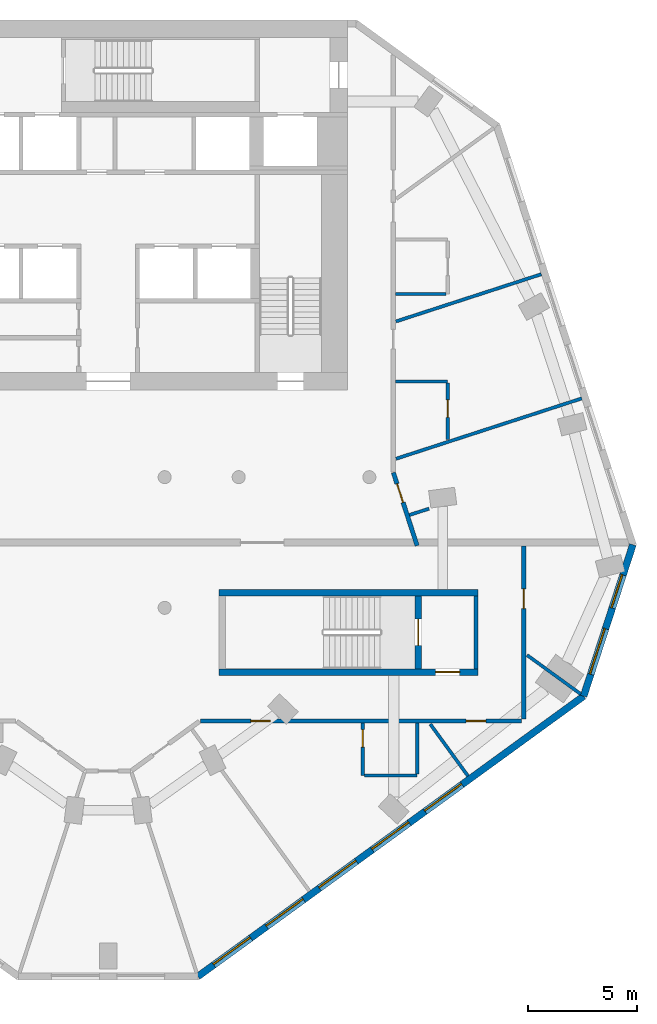
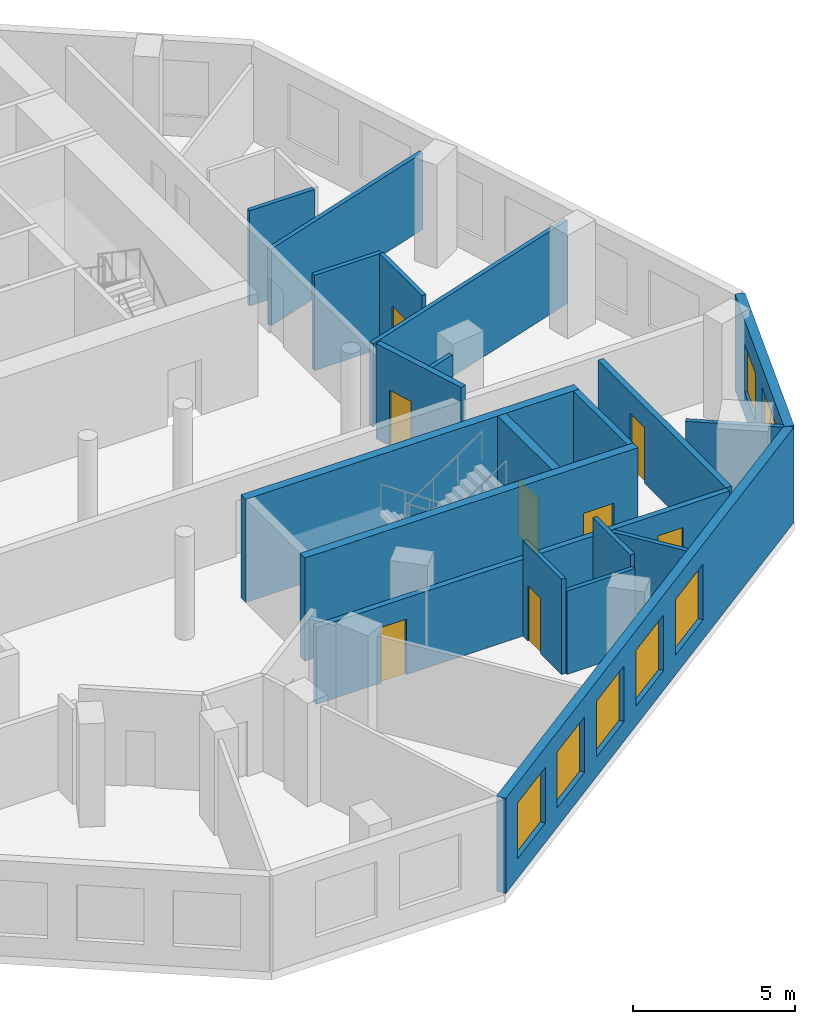
# One storey, part 4 of 9: 20 walls, 8 doors, 7 windows, 15 openings.
"""IFC4 building model written with IfcOpenShell, lengths in metres."""

from ifc_helpers import new_model, si_unit, direction, frame, frame_2d, origin, place, context, subcontext, project, spatial, rectangle, extrude, material, layer, layer_set, type_object, element, fill, save


model = new_model("IFC4")

# Units and contexts
model_context = context("Model", 3, precision=1e-05, world=origin(), true_north=direction((0.0, 1.0)))
body_context = subcontext(model_context, "Body", "Model", "MODEL_VIEW")
ifc_project = project(units=[si_unit("LENGTHUNIT", "METRE"), si_unit("AREAUNIT", "SQUARE_METRE"), si_unit("VOLUMEUNIT", "CUBIC_METRE"), si_unit("PLANEANGLEUNIT", "RADIAN"), si_unit("MASSUNIT", "GRAM", prefix="KILO")], contexts=[model_context])

# Site, building, storey
site_placement = place(None, origin())
site = spatial("IfcSite", under=ifc_project, at=site_placement, CompositionType="ELEMENT")
building_placement = place(site_placement, origin())
building = spatial("IfcBuilding", under=site, at=building_placement, Name="White Candle Pilgrim Tower", CompositionType="ELEMENT")
storey_placement = place(building_placement, frame((0.0, 0.0, 239.39990234375)))
storey = spatial("IfcBuildingStorey", under=building, at=storey_placement, Name="L56", CompositionType="ELEMENT", Elevation=239.39990234375)

# Wall
ifc_material_1 = material(Name="Concrete C50/60", Category="concrete")
ifc_layer_1 = layer(ifc_material_1, 0.199951171875)
ifc_layer_set_1 = layer_set([ifc_layer_1], Name="Core wall 200 mm Concrete C50/60")
wall_type_1 = type_object("IfcWallType", Name="Core wall 200 mm Concrete C50/60", PredefinedType="SHEAR", material=ifc_layer_set_1)
wall_1_placement = place(storey_placement, frame((86.89990234375, 58.199951171875, 0.0), z_axis=(0.0, 0.0, 1.0), x_axis=(0.0, 1.0, 0.0)))
element("IfcWall", 1, at=wall_1_placement, inside=storey, type_object=wall_type_1, Name="WL-L56-C08", PredefinedType="SHEAR", context=body_context, shape_type="SweptSolid", body=[
    extrude(rectangle(XDim=3.35009765625, YDim=0.199951171875, at=frame_2d((1.675048828125, 0.0))), origin(), (0.0, 0.0, 1.0), 3.900146484375),
])

# Wall, opening, door
ifc_material_2 = material(Name="Gypsum board on steel studs", Category="steel")
ifc_layer_2 = layer(ifc_material_2, 0.199951171875)
ifc_layer_set_2 = layer_set([ifc_layer_2], Name="Corridor wall 200 mm EI 45")
wall_type_2 = type_object("IfcWallType", Name="Corridor wall 200 mm EI 45", PredefinedType="PARTITIONING", material=ifc_layer_set_2)
wall_2_placement = place(storey_placement, frame((83.10498046875, 67.2109375, 0.0), z_axis=(0.0, 0.0, 1.0), x_axis=(0.309026709141, -0.951053359721, 0.0)))
wall_2 = element("IfcWall", 2, at=wall_2_placement, inside=storey, type_object=wall_type_2, Name="WL-L56-P005", PredefinedType="PARTITIONING", context=body_context, shape_type="SweptSolid", body=[
    extrude(rectangle(XDim=3.53369140625, YDim=0.199951171875, at=frame_2d((1.766845703125, 0.0))), origin(), (0.0, 0.0, 1.0), 3.60009765625),
])
opening_1_placement = place(wall_2_placement, frame((0.542236328125, 0.0, 0.0)))
opening_1 = element("IfcOpeningElement", 3, at=opening_1_placement, cuts=wall_2, Name="Opening T17-126", PredefinedType="OPENING", context=body_context, shape_type="SweptSolid", body=[
    extrude(rectangle(XDim=0.89990234375, YDim=2.10009765625, at=frame_2d((0.449951171875, 1.050048828125))), frame((0.0, 0.10986328125, 0.0), z_axis=(0.0, -1.0, 0.0), x_axis=(1.0, 0.0, 0.0)), (0.0, 0.0, 1.0), 0.219970703125),
])
ifc_material_3 = material(Name="Steel door leaf", Category="steel")
door_type_1 = type_object("IfcDoorType", Name="Fire door 900 x 2100 EI 30", OperationType="NOTDEFINED", PredefinedType="DOOR", material=ifc_material_3)
door_1_placement = place(opening_1_placement, origin())
door_1 = element("IfcDoor", 4, at=door_1_placement, inside=storey, type_object=door_type_1, Name="Door T17-126", OperationType="SINGLE_SWING_RIGHT", OverallHeight=2.10009765625, OverallWidth=0.89990234375, PredefinedType="DOOR", context=body_context, shape_type="SweptSolid", body=[
    extrude(rectangle(XDim=0.89990234375, YDim=2.10009765625, at=frame_2d((0.449951171875, 1.050048828125))), frame((0.0, 0.02490234375, 0.0), z_axis=(0.0, -1.0, 0.0), x_axis=(1.0, 0.0, 0.0)), (0.0, 0.0, 1.0), 0.050048828125),
])
fill(opening_1, door_1)

wall_3_placement = place(storey_placement, frame((89.10009765625, 63.85009765625, 0.0), z_axis=(0.0, 0.0, 1.0), x_axis=(0.0, -1.0, 0.0)))
wall_3 = element("IfcWall", 5, at=wall_3_placement, inside=storey, type_object=wall_type_2, Name="WL-L56-P006", PredefinedType="PARTITIONING", context=body_context, shape_type="SweptSolid", body=[
    extrude(rectangle(XDim=7.9501953125, YDim=0.199951171875, at=frame_2d((3.97509765625, 0.0))), origin(), (0.0, 0.0, 1.0), 2.900146484375),
])
opening_2_placement = place(wall_3_placement, frame((1.983154296875, 0.0, 0.0)))
opening_2 = element("IfcOpeningElement", 6, at=opening_2_placement, cuts=wall_3, Name="Opening T17-114", PredefinedType="OPENING", context=body_context, shape_type="SweptSolid", body=[
    extrude(rectangle(XDim=0.89990234375, YDim=2.10009765625, at=frame_2d((0.449951171875, 1.050048828125))), frame((0.0, 0.10986328125, 0.0), z_axis=(0.0, -1.0, 0.0), x_axis=(1.0, 0.0, 0.0)), (0.0, 0.0, 1.0), 0.219970703125),
])
door_2_placement = place(opening_2_placement, origin())
door_2 = element("IfcDoor", 7, at=door_2_placement, inside=storey, type_object=door_type_1, Name="Door T17-114", OperationType="SINGLE_SWING_RIGHT", OverallHeight=2.10009765625, OverallWidth=0.89990234375, PredefinedType="DOOR", context=body_context, shape_type="SweptSolid", body=[
    extrude(rectangle(XDim=0.89990234375, YDim=2.10009765625, at=frame_2d((0.449951171875, 1.050048828125))), frame((0.0, 0.02490234375, 0.0), z_axis=(0.0, -1.0, 0.0), x_axis=(1.0, 0.0, 0.0)), (0.0, 0.0, 1.0), 0.050048828125),
])
fill(opening_2, door_2)

# Wall, openings, doors
wall_4_placement = place(storey_placement, frame((89.0, 55.800048828125, 0.0), z_axis=(0.0, 0.0, 1.0), x_axis=(-1.0, 0.0, 0.0)))
wall_4 = element("IfcWall", 8, at=wall_4_placement, inside=storey, type_object=wall_type_2, Name="WL-L56-P007", PredefinedType="PARTITIONING", context=body_context, shape_type="SweptSolid", body=[
    extrude(rectangle(XDim=14.751220703125, YDim=0.199951171875, at=frame_2d((7.37548828125, 0.0))), origin(), (0.0, 0.0, 1.0), 2.900146484375),
])
opening_3_placement = place(wall_4_placement, frame((11.543212890625, 0.0, 0.0)))
opening_3 = element("IfcOpeningElement", 9, at=opening_3_placement, cuts=wall_4, Name="Opening T17-112", PredefinedType="OPENING", context=body_context, shape_type="SweptSolid", body=[
    extrude(rectangle(XDim=0.89990234375, YDim=2.10009765625, at=frame_2d((0.449951171875, 1.050048828125))), frame((0.0, 0.10986328125, 0.0), z_axis=(0.0, -1.0, 0.0), x_axis=(1.0, 0.0, 0.0)), (0.0, 0.0, 1.0), 0.219970703125),
])
opening_4_placement = place(wall_4_placement, frame((1.651611328125, 0.0, 0.0)))
opening_4 = element("IfcOpeningElement", 10, at=opening_4_placement, cuts=wall_4, Name="Opening T17-113", PredefinedType="OPENING", context=body_context, shape_type="SweptSolid", body=[
    extrude(rectangle(XDim=0.89990234375, YDim=2.10009765625, at=frame_2d((0.449951171875, 1.050048828125))), frame((0.0, 0.10986328125, 0.0), z_axis=(0.0, -1.0, 0.0), x_axis=(1.0, 0.0, 0.0)), (0.0, 0.0, 1.0), 0.219970703125),
])
door_3_placement = place(opening_3_placement, origin())
door_3 = element("IfcDoor", 11, at=door_3_placement, inside=storey, type_object=door_type_1, Name="Door T17-112", OperationType="SINGLE_SWING_RIGHT", OverallHeight=2.10009765625, OverallWidth=0.89990234375, PredefinedType="DOOR", context=body_context, shape_type="SweptSolid", body=[
    extrude(rectangle(XDim=0.89990234375, YDim=2.10009765625, at=frame_2d((0.449951171875, 1.050048828125))), frame((0.0, 0.02490234375, 0.0), z_axis=(0.0, -1.0, 0.0), x_axis=(1.0, 0.0, 0.0)), (0.0, 0.0, 1.0), 0.050048828125),
])
fill(opening_3, door_3)
door_4_placement = place(opening_4_placement, origin())
door_4 = element("IfcDoor", 12, at=door_4_placement, inside=storey, type_object=door_type_1, Name="Door T17-113", OperationType="SINGLE_SWING_LEFT", OverallHeight=2.10009765625, OverallWidth=0.89990234375, PredefinedType="DOOR", context=body_context, shape_type="SweptSolid", body=[
    extrude(rectangle(XDim=0.89990234375, YDim=2.10009765625, at=frame_2d((0.449951171875, 1.050048828125))), frame((0.0, 0.02490234375, 0.0), z_axis=(0.0, -1.0, 0.0), x_axis=(1.0, 0.0, 0.0)), (0.0, 0.0, 1.0), 0.050048828125),
])
fill(opening_4, door_4)

# Wall, openings, windows
ifc_material_4 = material(Name="Precast concrete C40/50", Category="concrete")
ifc_layer_3 = layer(ifc_material_4, 0.320068359375)
ifc_layer_set_3 = layer_set([ifc_layer_3], Name="Facade wall EW1 precast concrete C40/50 pier wall with timber-lined reveals")
wall_type_3 = type_object("IfcWallType", Name="Facade wall EW1 precast concrete C40/50 pier wall with timber-lined reveals", PredefinedType="SOLIDWALL", material=ifc_layer_set_3)
wall_5_placement = place(storey_placement, frame((74.123779296875, 44.064208984375, 0.0), z_axis=(0.0, 0.0, 1.0), x_axis=(0.809013617361, 0.587789900325, 0.0)))
wall_5 = element("IfcWall", 13, at=wall_5_placement, inside=storey, type_object=wall_type_3, Name="Facade wall L56 SE", PredefinedType="SOLIDWALL", context=body_context, shape_type="SweptSolid", body=[
    extrude(rectangle(XDim=21.904052734375, YDim=0.320068359375, at=frame_2d((10.9521484375, 0.0))), origin(), (0.0, 0.0, 1.0), 3.60009765625),
])
opening_5_placement = place(wall_5_placement, frame((0.902099609375, 0.0, 0.75)))
opening_5 = element("IfcOpeningElement", 14, at=opening_5_placement, cuts=wall_5, Name="Opening W3", PredefinedType="OPENING", context=body_context, shape_type="SweptSolid", body=[
    extrude(rectangle(XDim=2.10009765625, YDim=2.10009765625, at=frame_2d((1.050048828125, 1.050048828125))), frame((0.0, 0.169921875, 0.0), z_axis=(0.0, -1.0, 0.0), x_axis=(1.0, 0.0, 0.0)), (0.0, 0.0, 1.0), 0.340087890625),
])
opening_6_placement = place(wall_5_placement, frame((3.902099609375, 0.0, 0.75)))
opening_6 = element("IfcOpeningElement", 15, at=opening_6_placement, cuts=wall_5, Name="Opening W3", PredefinedType="OPENING", context=body_context, shape_type="SweptSolid", body=[
    extrude(rectangle(XDim=2.10009765625, YDim=2.10009765625, at=frame_2d((1.050048828125, 1.050048828125))), frame((0.0, 0.169921875, 0.0), z_axis=(0.0, -1.0, 0.0), x_axis=(1.0, 0.0, 0.0)), (0.0, 0.0, 1.0), 0.340087890625),
])
opening_7_placement = place(wall_5_placement, frame((6.902099609375, 0.0, 0.75)))
opening_7 = element("IfcOpeningElement", 16, at=opening_7_placement, cuts=wall_5, Name="Opening W3", PredefinedType="OPENING", context=body_context, shape_type="SweptSolid", body=[
    extrude(rectangle(XDim=2.10009765625, YDim=2.10009765625, at=frame_2d((1.050048828125, 1.050048828125))), frame((0.0, 0.169921875, 0.0), z_axis=(0.0, -1.0, 0.0), x_axis=(1.0, 0.0, 0.0)), (0.0, 0.0, 1.0), 0.340087890625),
])
opening_8_placement = place(wall_5_placement, frame((9.902099609375, 0.0, 0.75)))
opening_8 = element("IfcOpeningElement", 17, at=opening_8_placement, cuts=wall_5, Name="Opening W3", PredefinedType="OPENING", context=body_context, shape_type="SweptSolid", body=[
    extrude(rectangle(XDim=2.10009765625, YDim=2.10009765625, at=frame_2d((1.050048828125, 1.050048828125))), frame((0.0, 0.169921875, 0.0), z_axis=(0.0, -1.0, 0.0), x_axis=(1.0, 0.0, 0.0)), (0.0, 0.0, 1.0), 0.340087890625),
])
opening_9_placement = place(wall_5_placement, frame((12.902099609375, 0.0, 0.75)))
opening_9 = element("IfcOpeningElement", 18, at=opening_9_placement, cuts=wall_5, Name="Opening W3", PredefinedType="OPENING", context=body_context, shape_type="SweptSolid", body=[
    extrude(rectangle(XDim=2.10009765625, YDim=2.10009765625, at=frame_2d((1.050048828125, 1.050048828125))), frame((0.0, 0.169921875, 0.0), z_axis=(0.0, -1.0, 0.0), x_axis=(1.0, 0.0, 0.0)), (0.0, 0.0, 1.0), 0.340087890625),
])
ifc_material_5 = material(Name="Timber frame with triple glazing", Category="wood")
window_type_1 = type_object("IfcWindowType", Name="Window W3 2100x2100 timber frame triple glazing", PartitioningType="SINGLE_PANEL", PredefinedType="WINDOW", material=ifc_material_5)
window_1_placement = place(opening_5_placement, origin())
window_1 = element("IfcWindow", 19, at=window_1_placement, inside=storey, type_object=window_type_1, Name="Window W3 L56 SE 1", OverallHeight=2.10009765625, OverallWidth=2.10009765625, PartitioningType="SINGLE_PANEL", PredefinedType="WINDOW", context=body_context, shape_type="SweptSolid", body=[
    extrude(rectangle(XDim=2.10009765625, YDim=2.10009765625, at=frame_2d((1.050048828125, 1.050048828125))), frame((0.0, 0.070068359375, 0.0), z_axis=(0.0, -1.0, 0.0), x_axis=(1.0, 0.0, 0.0)), (0.0, 0.0, 1.0), 0.06005859375),
])
fill(opening_5, window_1)
window_2_placement = place(opening_6_placement, origin())
window_2 = element("IfcWindow", 20, at=window_2_placement, inside=storey, type_object=window_type_1, Name="Window W3 L56 SE 2", OverallHeight=2.10009765625, OverallWidth=2.10009765625, PartitioningType="SINGLE_PANEL", PredefinedType="WINDOW", context=body_context, shape_type="SweptSolid", body=[
    extrude(rectangle(XDim=2.10009765625, YDim=2.10009765625, at=frame_2d((1.050048828125, 1.050048828125))), frame((0.0, 0.070068359375, 0.0), z_axis=(0.0, -1.0, 0.0), x_axis=(1.0, 0.0, 0.0)), (0.0, 0.0, 1.0), 0.06005859375),
])
fill(opening_6, window_2)
window_3_placement = place(opening_7_placement, origin())
window_3 = element("IfcWindow", 21, at=window_3_placement, inside=storey, type_object=window_type_1, Name="Window W3 L56 SE 3", OverallHeight=2.10009765625, OverallWidth=2.10009765625, PartitioningType="SINGLE_PANEL", PredefinedType="WINDOW", context=body_context, shape_type="SweptSolid", body=[
    extrude(rectangle(XDim=2.10009765625, YDim=2.10009765625, at=frame_2d((1.050048828125, 1.050048828125))), frame((0.0, 0.070068359375, 0.0), z_axis=(0.0, -1.0, 0.0), x_axis=(1.0, 0.0, 0.0)), (0.0, 0.0, 1.0), 0.06005859375),
])
fill(opening_7, window_3)
window_4_placement = place(opening_8_placement, origin())
window_4 = element("IfcWindow", 22, at=window_4_placement, inside=storey, type_object=window_type_1, Name="Window W3 L56 SE 4", OverallHeight=2.10009765625, OverallWidth=2.10009765625, PartitioningType="SINGLE_PANEL", PredefinedType="WINDOW", context=body_context, shape_type="SweptSolid", body=[
    extrude(rectangle(XDim=2.10009765625, YDim=2.10009765625, at=frame_2d((1.050048828125, 1.050048828125))), frame((0.0, 0.070068359375, 0.0), z_axis=(0.0, -1.0, 0.0), x_axis=(1.0, 0.0, 0.0)), (0.0, 0.0, 1.0), 0.06005859375),
])
fill(opening_8, window_4)
window_5_placement = place(opening_9_placement, origin())
window_5 = element("IfcWindow", 23, at=window_5_placement, inside=storey, type_object=window_type_1, Name="Window W3 L56 SE 5", OverallHeight=2.10009765625, OverallWidth=2.10009765625, PartitioningType="SINGLE_PANEL", PredefinedType="WINDOW", context=body_context, shape_type="SweptSolid", body=[
    extrude(rectangle(XDim=2.10009765625, YDim=2.10009765625, at=frame_2d((1.050048828125, 1.050048828125))), frame((0.0, 0.070068359375, 0.0), z_axis=(0.0, -1.0, 0.0), x_axis=(1.0, 0.0, 0.0)), (0.0, 0.0, 1.0), 0.06005859375),
])
fill(opening_9, window_5)

wall_6_placement = place(storey_placement, frame((91.844482421875, 56.939208984375, 0.0), z_axis=(0.0, 0.0, 1.0), x_axis=(0.309034031294, 0.951050980496, 0.0)))
wall_6 = element("IfcWall", 24, at=wall_6_placement, inside=storey, type_object=wall_type_3, Name="Facade wall L56 E chamfer", PredefinedType="SOLIDWALL", context=body_context, shape_type="SweptSolid", body=[
    extrude(rectangle(XDim=7.319580078125, YDim=0.320068359375, at=frame_2d((3.65966796875, 0.0))), origin(), (0.0, 0.0, 1.0), 3.60009765625),
])
opening_10_placement = place(wall_6_placement, frame((1.059814453125, 0.0, 0.75)))
opening_10 = element("IfcOpeningElement", 25, at=opening_10_placement, cuts=wall_6, Name="Opening W4", PredefinedType="OPENING", context=body_context, shape_type="SweptSolid", body=[
    extrude(rectangle(XDim=2.199951171875, YDim=2.10009765625, at=frame_2d((1.10009765625, 1.050048828125))), frame((0.0, 0.169921875, 0.0), z_axis=(0.0, -1.0, 0.0), x_axis=(1.0, 0.0, 0.0)), (0.0, 0.0, 1.0), 0.340087890625),
])
opening_11_placement = place(wall_6_placement, frame((4.259765625, 0.0, 0.89990234375)))
opening_11 = element("IfcOpeningElement", 26, at=opening_11_placement, cuts=wall_6, Name="Opening W2", PredefinedType="OPENING", context=body_context, shape_type="SweptSolid", body=[
    extrude(rectangle(XDim=1.60009765625, YDim=1.800048828125, at=frame_2d((0.800048828125, 0.89990234375))), frame((0.0, 0.169921875, 0.0), z_axis=(0.0, -1.0, 0.0), x_axis=(1.0, 0.0, 0.0)), (0.0, 0.0, 1.0), 0.340087890625),
])
window_type_2 = type_object("IfcWindowType", Name="Window W2 1600x1800 timber frame triple glazing", PartitioningType="SINGLE_PANEL", PredefinedType="WINDOW", material=ifc_material_5)
window_6_placement = place(opening_11_placement, origin())
window_6 = element("IfcWindow", 27, at=window_6_placement, inside=storey, type_object=window_type_2, Name="Window W2 L56 E chamfer 2", OverallHeight=1.800048828125, OverallWidth=1.60009765625, PartitioningType="SINGLE_PANEL", PredefinedType="WINDOW", context=body_context, shape_type="SweptSolid", body=[
    extrude(rectangle(XDim=1.60009765625, YDim=1.800048828125, at=frame_2d((0.800048828125, 0.89990234375))), frame((0.0, 0.070068359375, 0.0), z_axis=(0.0, -1.0, 0.0), x_axis=(1.0, 0.0, 0.0)), (0.0, 0.0, 1.0), 0.06005859375),
])
fill(opening_11, window_6)
window_type_3 = type_object("IfcWindowType", Name="Window W4 2200x2100 timber frame triple glazing", PartitioningType="SINGLE_PANEL", PredefinedType="WINDOW", material=ifc_material_5)
window_7_placement = place(opening_10_placement, origin())
window_7 = element("IfcWindow", 28, at=window_7_placement, inside=storey, type_object=window_type_3, Name="Window W4 L56 E chamfer 1", OverallHeight=2.10009765625, OverallWidth=2.199951171875, PartitioningType="SINGLE_PANEL", PredefinedType="WINDOW", context=body_context, shape_type="SweptSolid", body=[
    extrude(rectangle(XDim=2.199951171875, YDim=2.10009765625, at=frame_2d((1.10009765625, 1.050048828125))), frame((0.0, 0.070068359375, 0.0), z_axis=(0.0, -1.0, 0.0), x_axis=(1.0, 0.0, 0.0)), (0.0, 0.0, 1.0), 0.06005859375),
])
fill(opening_10, window_7)

# Walls
ifc_layer_4 = layer(ifc_material_2, 0.14990234375)
ifc_layer_set_4 = layer_set([ifc_layer_4], Name="Partition 150 mm EI 60")
wall_type_4 = type_object("IfcWallType", Name="Partition 150 mm EI 60", PredefinedType="PARTITIONING", material=ifc_layer_set_4)
wall_7_placement = place(storey_placement, frame((91.70849609375, 57.0380859375, 0.0), z_axis=(0.0, 0.0, 1.0), x_axis=(-0.809006333386, 0.587799925605, 0.0)))
element("IfcWall", 29, at=wall_7_placement, inside=storey, type_object=wall_type_4, Name="WL-L56-P017", PredefinedType="PARTITIONING", context=body_context, shape_type="SweptSolid", body=[
    extrude(rectangle(XDim=3.046142578125, YDim=0.14990234375, at=frame_2d((1.52294921875, 0.0))), origin(), (0.0, 0.0, 1.0), 3.60009765625),
])
wall_8_placement = place(storey_placement, frame((86.53076171875, 53.276123046875, 0.0), z_axis=(0.0, 0.0, 1.0), x_axis=(-0.587766969839, 0.809030277039, 0.0)))
element("IfcWall", 30, at=wall_8_placement, inside=storey, type_object=wall_type_4, Name="WL-L56-P034", PredefinedType="PARTITIONING", context=body_context, shape_type="SweptSolid", body=[
    extrude(rectangle(XDim=2.941650390625, YDim=0.14990234375, at=frame_2d((1.470703125, 0.0))), origin(), (0.0, 0.0, 1.0), 2.900146484375),
])

# Wall, opening, door
wall_9_placement = place(storey_placement, frame((81.697021484375, 55.699951171875, 0.0), z_axis=(0.0, 0.0, 1.0), x_axis=(0.0, -1.0, 0.0)))
wall_9 = element("IfcWall", 31, at=wall_9_placement, inside=storey, type_object=wall_type_4, Name="WL-L56-P035", PredefinedType="PARTITIONING", context=body_context, shape_type="SweptSolid", body=[
    extrude(rectangle(XDim=2.39990234375, YDim=0.14990234375, at=frame_2d((1.199951171875, 0.0))), origin(), (0.0, 0.0, 1.0), 3.60009765625),
])
opening_12_placement = place(wall_9_placement, frame((0.300048828125, 0.0, 0.0)))
opening_12 = element("IfcOpeningElement", 32, at=opening_12_placement, cuts=wall_9, Name="Opening T17-111", PredefinedType="OPENING", context=body_context, shape_type="SweptSolid", body=[
    extrude(rectangle(XDim=0.800048828125, YDim=2.10009765625, at=frame_2d((0.39990234375, 1.050048828125))), frame((0.0, 0.0849609375, 0.0), z_axis=(0.0, -1.0, 0.0), x_axis=(1.0, 0.0, 0.0)), (0.0, 0.0, 1.0), 0.169921875),
])
door_type_2 = type_object("IfcDoorType", Name="Fire door 800 x 2100 EI 30", OperationType="NOTDEFINED", PredefinedType="DOOR", material=ifc_material_3)
door_5_placement = place(opening_12_placement, frame((0.800048828125, 0.0, 0.0), z_axis=(0.0, 0.0, 1.0), x_axis=(-1.0, 0.0, 0.0)))
door_5 = element("IfcDoor", 33, at=door_5_placement, inside=storey, type_object=door_type_2, Name="Door T17-111", OperationType="SINGLE_SWING_RIGHT", OverallHeight=2.10009765625, OverallWidth=0.800048828125, PredefinedType="DOOR", context=body_context, shape_type="SweptSolid", body=[
    extrude(rectangle(XDim=0.800048828125, YDim=2.10009765625, at=frame_2d((0.39990234375, 1.050048828125))), frame((0.0, 0.02490234375, 0.0), z_axis=(0.0, -1.0, 0.0), x_axis=(1.0, 0.0, 0.0)), (0.0, 0.0, 1.0), 0.050048828125),
])
fill(opening_12, door_5)

# Walls
wall_10_placement = place(storey_placement, frame((84.197021484375, 53.300048828125, 0.0), z_axis=(0.0, 0.0, 1.0), x_axis=(-1.0, 0.0, 0.0)))
element("IfcWall", 34, at=wall_10_placement, inside=storey, type_object=wall_type_4, Name="WL-L56-P036", PredefinedType="PARTITIONING", context=body_context, shape_type="SweptSolid", body=[
    extrude(rectangle(XDim=2.4248046875, YDim=0.14990234375, at=frame_2d((1.21240234375, 0.0))), origin(), (0.0, 0.0, 1.0), 3.150146484375),
])
wall_11_placement = place(storey_placement, frame((84.197021484375, 55.699951171875, 0.0), z_axis=(0.0, 0.0, 1.0), x_axis=(0.0, -1.0, 0.0)))
element("IfcWall", 35, at=wall_11_placement, inside=storey, type_object=wall_type_4, Name="WL-L56-P037", PredefinedType="PARTITIONING", context=body_context, shape_type="SweptSolid", body=[
    extrude(rectangle(XDim=2.324951171875, YDim=0.14990234375, at=frame_2d((1.16259765625, 0.0))), origin(), (0.0, 0.0, 1.0), 3.60009765625),
])
wall_12_placement = place(storey_placement, frame((91.755859375, 70.6171875, 0.0), z_axis=(0.0, 0.0, 1.0), x_axis=(-0.951056063509, -0.309018387903, 0.0)))
element("IfcWall", 36, at=wall_12_placement, inside=storey, type_object=wall_type_4, Name="WL-L56-P038", PredefinedType="PARTITIONING", context=body_context, shape_type="SweptSolid", body=[
    extrude(rectangle(XDim=8.971923828125, YDim=0.14990234375, at=frame_2d((4.48583984375, 0.0))), origin(), (0.0, 0.0, 1.0), 3.150146484375),
])
wall_13_placement = place(storey_placement, frame((89.901611328125, 76.323486328125, 0.0), z_axis=(0.0, 0.0, 1.0), x_axis=(-0.951058338022, -0.30901138762, 0.0)))
element("IfcWall", 37, at=wall_13_placement, inside=storey, type_object=wall_type_4, Name="WL-L56-P039", PredefinedType="PARTITIONING", context=body_context, shape_type="SweptSolid", body=[
    extrude(rectangle(XDim=7.022216796875, YDim=0.14990234375, at=frame_2d((3.51123046875, 0.0))), origin(), (0.0, 0.0, 1.0), 2.900146484375),
])
wall_14_placement = place(storey_placement, frame((83.199951171875, 71.39990234375, 0.0), z_axis=(0.0, 0.0, 1.0), x_axis=(1.0, 0.0, 0.0)))
element("IfcWall", 38, at=wall_14_placement, inside=storey, type_object=wall_type_4, Name="WL-L56-P040", PredefinedType="PARTITIONING", context=body_context, shape_type="SweptSolid", body=[
    extrude(rectangle(XDim=2.400146484375, YDim=0.14990234375, at=frame_2d((1.2001953125, 0.0))), origin(), (0.0, 0.0, 1.0), 3.60009765625),
])

# Wall, opening, door
wall_15_placement = place(storey_placement, frame((85.60009765625, 68.72021484375, 0.0), z_axis=(0.0, 0.0, 1.0), x_axis=(0.0, 1.0, 0.0)))
wall_15 = element("IfcWall", 39, at=wall_15_placement, inside=storey, type_object=wall_type_4, Name="WL-L56-P041", PredefinedType="PARTITIONING", context=body_context, shape_type="SweptSolid", body=[
    extrude(rectangle(XDim=2.604736328125, YDim=0.14990234375, at=frame_2d((1.30224609375, 0.0))), origin(), (0.0, 0.0, 1.0), 3.60009765625),
])
opening_13_placement = place(wall_15_placement, frame((1.02978515625, 0.0, 0.0)))
opening_13 = element("IfcOpeningElement", 40, at=opening_13_placement, cuts=wall_15, Name="Opening T17-115", PredefinedType="OPENING", context=body_context, shape_type="SweptSolid", body=[
    extrude(rectangle(XDim=0.800048828125, YDim=2.10009765625, at=frame_2d((0.39990234375, 1.050048828125))), frame((0.0, 0.0849609375, 0.0), z_axis=(0.0, -1.0, 0.0), x_axis=(1.0, 0.0, 0.0)), (0.0, 0.0, 1.0), 0.169921875),
])
door_6_placement = place(opening_13_placement, frame((0.800048828125, 0.0, 0.0), z_axis=(0.0, 0.0, 1.0), x_axis=(-1.0, 0.0, 0.0)))
door_6 = element("IfcDoor", 41, at=door_6_placement, inside=storey, type_object=door_type_2, Name="Door T17-115", OperationType="SINGLE_SWING_RIGHT", OverallHeight=2.10009765625, OverallWidth=0.800048828125, PredefinedType="DOOR", context=body_context, shape_type="SweptSolid", body=[
    extrude(rectangle(XDim=0.800048828125, YDim=2.10009765625, at=frame_2d((0.39990234375, 1.050048828125))), frame((0.0, 0.02490234375, 0.0), z_axis=(0.0, -1.0, 0.0), x_axis=(1.0, 0.0, 0.0)), (0.0, 0.0, 1.0), 0.050048828125),
])
fill(opening_13, door_6)

# Walls
wall_16_placement = place(storey_placement, frame((83.199951171875, 75.413330078125, 0.0), z_axis=(0.0, 0.0, 1.0), x_axis=(1.0, 0.0, 0.0)))
element("IfcWall", 42, at=wall_16_placement, inside=storey, type_object=wall_type_4, Name="WL-L56-P044", PredefinedType="PARTITIONING", context=body_context, shape_type="SweptSolid", body=[
    extrude(rectangle(XDim=2.324951171875, YDim=0.14990234375, at=frame_2d((1.16259765625, 0.0))), origin(), (0.0, 0.0, 1.0), 3.60009765625),
])
wall_17_placement = place(storey_placement, frame((84.7431640625, 65.55517578125, 0.0), z_axis=(0.0, 0.0, 1.0), x_axis=(-0.951054918228, -0.309021912676, 0.0)))
element("IfcWall", 43, at=wall_17_placement, inside=storey, type_object=wall_type_4, Name="WL-L56-P046", PredefinedType="PARTITIONING", context=body_context, shape_type="SweptSolid", body=[
    extrude(rectangle(XDim=0.946533203125, YDim=0.14990234375, at=frame_2d((0.47314453125, 0.0))), origin(), (0.0, 0.0, 1.0), 3.60009765625),
])

# Wall, opening, door
ifc_layer_5 = layer(ifc_material_1, 0.300048828125)
ifc_layer_set_5 = layer_set([ifc_layer_5], Name="Stair shaft wall 300 mm Concrete C50/60")
wall_type_5 = type_object("IfcWallType", Name="Stair shaft wall 300 mm Concrete C50/60", PredefinedType="SHEAR", material=ifc_layer_set_5)
wall_18_placement = place(storey_placement, frame((75.10009765625, 58.050048828125, 0.0), z_axis=(0.0, 0.0, 1.0), x_axis=(1.0, 0.0, 0.0)))
wall_18 = element("IfcWall", 44, at=wall_18_placement, inside=storey, type_object=wall_type_5, Name="WL-L56-C02", PredefinedType="SHEAR", context=body_context, shape_type="SweptSolid", body=[
    extrude(rectangle(XDim=11.89990234375, YDim=0.300048828125, at=frame_2d((5.949951171875, 0.0))), origin(), (0.0, 0.0, 1.0), 3.900146484375),
])
opening_14_placement = place(wall_18_placement, frame((9.949951171875, 0.0, 0.0)))
opening_14 = element("IfcOpeningElement", 45, at=opening_14_placement, cuts=wall_18, Name="Opening T17-012", PredefinedType="OPENING", context=body_context, shape_type="SweptSolid", body=[
    extrude(rectangle(XDim=1.10009765625, YDim=2.10009765625, at=frame_2d((0.550048828125, 1.050048828125))), frame((0.0, 0.159912109375, 0.0), z_axis=(0.0, -1.0, 0.0), x_axis=(1.0, 0.0, 0.0)), (0.0, 0.0, 1.0), 0.320068359375),
])
door_type_3 = type_object("IfcDoorType", Name="Fire door 1100 x 2100 EI 60", OperationType="NOTDEFINED", PredefinedType="DOOR", material=ifc_material_3)
door_7_placement = place(opening_14_placement, origin())
door_7 = element("IfcDoor", 46, at=door_7_placement, inside=storey, type_object=door_type_3, Name="Door T17-012", OperationType="SINGLE_SWING_RIGHT", OverallHeight=2.10009765625, OverallWidth=1.10009765625, PredefinedType="DOOR", context=body_context, shape_type="SweptSolid", body=[
    extrude(rectangle(XDim=1.10009765625, YDim=2.10009765625, at=frame_2d((0.550048828125, 1.050048828125))), frame((0.0, 0.02490234375, 0.0), z_axis=(0.0, -1.0, 0.0), x_axis=(1.0, 0.0, 0.0)), (0.0, 0.0, 1.0), 0.050048828125),
])
fill(opening_14, door_7)

wall_19_placement = place(storey_placement, frame((84.25, 58.199951171875, 0.0), z_axis=(0.0, 0.0, 1.0), x_axis=(0.0, 1.0, 0.0)))
wall_19 = element("IfcWall", 47, at=wall_19_placement, inside=storey, type_object=wall_type_5, Name="WL-L56-C07", PredefinedType="SHEAR", context=body_context, shape_type="SweptSolid", body=[
    extrude(rectangle(XDim=3.35009765625, YDim=0.300048828125, at=frame_2d((1.675048828125, 0.0))), origin(), (0.0, 0.0, 1.0), 3.900146484375),
])
opening_15_placement = place(wall_19_placement, frame((1.074951171875, 0.0, 0.0)))
opening_15 = element("IfcOpeningElement", 48, at=opening_15_placement, cuts=wall_19, Name="Opening T17-013", PredefinedType="OPENING", context=body_context, shape_type="SweptSolid", body=[
    extrude(rectangle(XDim=1.199951171875, YDim=2.10009765625, at=frame_2d((0.60009765625, 1.050048828125))), frame((0.0, 0.159912109375, 0.0), z_axis=(0.0, -1.0, 0.0), x_axis=(1.0, 0.0, 0.0)), (0.0, 0.0, 1.0), 0.320068359375),
])
door_type_4 = type_object("IfcDoorType", Name="Fire door 1200 x 2100 EI 60", OperationType="NOTDEFINED", PredefinedType="DOOR", material=ifc_material_3)
door_8_placement = place(opening_15_placement, origin())
door_8 = element("IfcDoor", 49, at=door_8_placement, inside=storey, type_object=door_type_4, Name="Door T17-013", OperationType="SINGLE_SWING_LEFT", OverallHeight=2.10009765625, OverallWidth=1.199951171875, PredefinedType="DOOR", context=body_context, shape_type="SweptSolid", body=[
    extrude(rectangle(XDim=1.199951171875, YDim=2.10009765625, at=frame_2d((0.60009765625, 1.050048828125))), frame((0.0, 0.02490234375, 0.0), z_axis=(0.0, -1.0, 0.0), x_axis=(1.0, 0.0, 0.0)), (0.0, 0.0, 1.0), 0.050048828125),
])
fill(opening_15, door_8)

# Wall
wall_20_placement = place(storey_placement, frame((75.10009765625, 61.699951171875, 0.0), z_axis=(0.0, 0.0, 1.0), x_axis=(1.0, 0.0, 0.0)))
element("IfcWall", 50, at=wall_20_placement, inside=storey, type_object=wall_type_5, Name="WL-L56-C10", PredefinedType="SHEAR", context=body_context, shape_type="SweptSolid", body=[
    extrude(rectangle(XDim=11.89990234375, YDim=0.300048828125, at=frame_2d((5.949951171875, 0.0))), origin(), (0.0, 0.0, 1.0), 3.900146484375),
])

save(model, "model.ifc")
